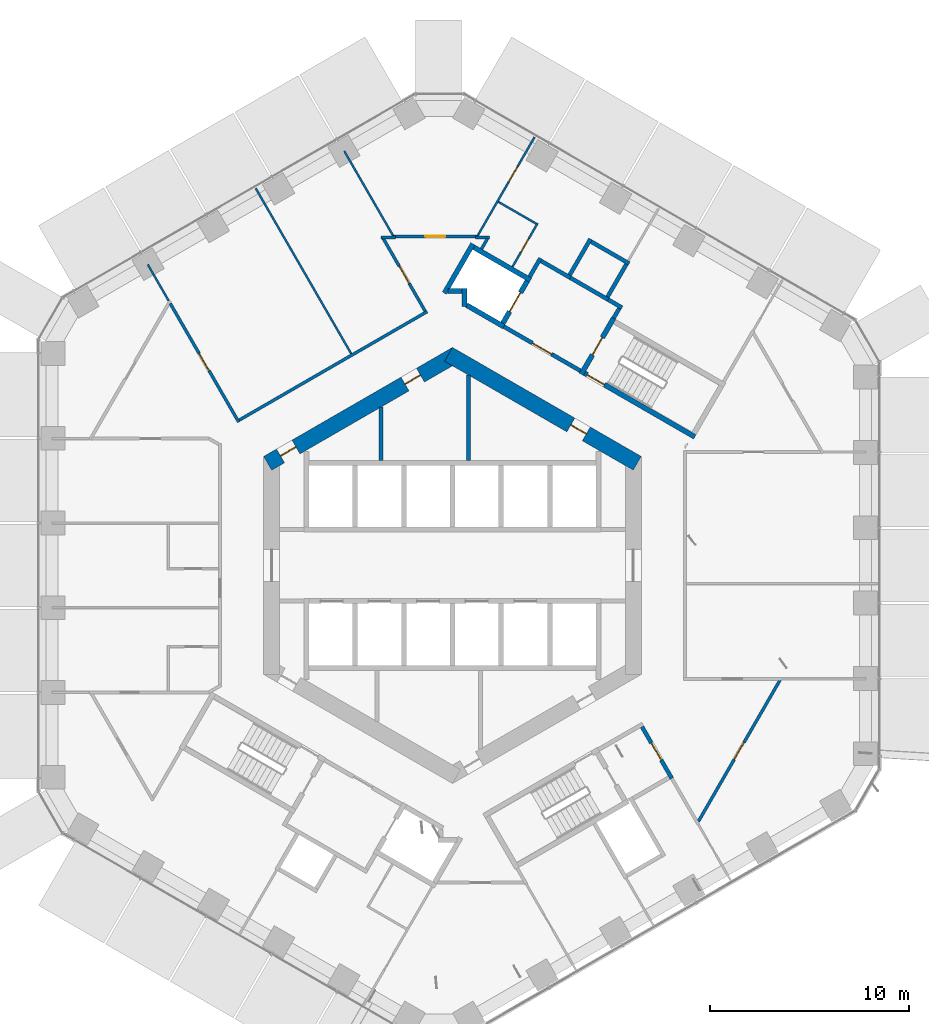
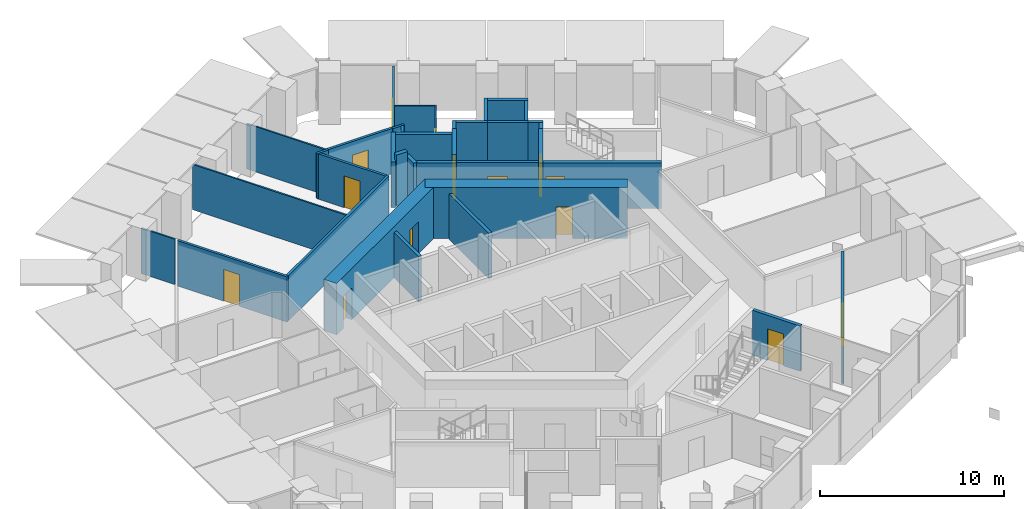
# One storey, part 14 of 22: 36 walls, 14 doors, 14 openings.
"""IFC4 building model written with IfcOpenShell, lengths in metres."""

from ifc_helpers import new_model, si_unit, direction, frame, frame_2d, origin, place, context, subcontext, project, spatial, rectangle, extrude, material, layer, layer_set, type_object, element, fill, save


model = new_model("IFC4")

# Units and contexts
model_context = context("Model", 3, precision=1e-05, world=origin(), true_north=direction((0.0, 1.0)))
body_context = subcontext(model_context, "Body", "Model", "MODEL_VIEW")
ifc_project = project(units=[si_unit("LENGTHUNIT", "METRE"), si_unit("AREAUNIT", "SQUARE_METRE"), si_unit("VOLUMEUNIT", "CUBIC_METRE"), si_unit("PLANEANGLEUNIT", "RADIAN"), si_unit("MASSUNIT", "GRAM", prefix="KILO")], contexts=[model_context])

# Site, building, storey
site_placement = place(None, origin())
site = spatial("IfcSite", under=ifc_project, at=site_placement, CompositionType="ELEMENT")
building_placement = place(site_placement, origin())
building = spatial("IfcBuilding", under=site, at=building_placement, Name="Ayvan Gate Tower", CompositionType="ELEMENT")
storey_placement = place(building_placement, frame((0.0, 0.0, 62.89990234375)))
storey = spatial("IfcBuildingStorey", under=building, at=storey_placement, Name="L16", CompositionType="ELEMENT", Elevation=62.89990234375)

# Wall, opening, door
ifc_material_1 = material(Name="Concrete C70/85", Category="concrete")
ifc_layer_1 = layer(ifc_material_1, 0.800048828125)
ifc_layer_set_1 = layer_set([ifc_layer_1], Name="Concrete C70/85")
wall_type_1 = type_object("IfcWallType", Name="Core wall 800 C70/85", PredefinedType="SHEAR", material=ifc_layer_set_1)
wall_1_placement = place(storey_placement, frame((9.300048828125, 5.138427734375, 0.0), z_axis=(0.0, 0.0, 1.0), x_axis=(-0.866023993627, 0.500002442456, 0.0)))
wall_1 = element("IfcWall", 1, at=wall_1_placement, inside=storey, type_object=wall_type_1, Name="CORE-L16-1", PredefinedType="SHEAR", context=body_context, shape_type="SweptSolid", body=[
    extrude(rectangle(XDim=10.9697265625, YDim=0.800048828125, at=frame_2d((5.48486328125, 0.0))), origin(), (0.0, 0.0, 1.0), 3.400146484375),
])
opening_1_placement = place(wall_1_placement, frame((2.961669921875, 0.0, 0.0)))
opening_1 = element("IfcOpeningElement", 2, at=opening_1_placement, cuts=wall_1, Name="Opening L16-D41", PredefinedType="OPENING", context=body_context, shape_type="SweptSolid", body=[
    extrude(rectangle(XDim=0.89990234375, YDim=2.10009765625, at=frame_2d((0.449951171875, 1.050048828125))), frame((0.0, 0.409912109375, 0.0), z_axis=(0.0, -1.0, 0.0), x_axis=(1.0, 0.0, 0.0)), (0.0, 0.0, 1.0), 0.820068359375),
])
ifc_material_2 = material(Name="Timber door leaf", Category="wood")
door_type_1 = type_object("IfcDoorType", Name="DT-900", OperationType="NOTDEFINED", PredefinedType="DOOR", material=ifc_material_2)
door_1_placement = place(opening_1_placement, origin())
door_1 = element("IfcDoor", 3, at=door_1_placement, inside=storey, type_object=door_type_1, Name="CD-L16-41", OperationType="SINGLE_SWING_LEFT", OverallHeight=2.10009765625, OverallWidth=0.89990234375, PredefinedType="DOOR", context=body_context, shape_type="SweptSolid", body=[
    extrude(rectangle(XDim=0.89990234375, YDim=2.10009765625, at=frame_2d((0.449951171875, 1.050048828125))), frame((0.0, 0.02490234375, 0.0), z_axis=(0.0, -1.0, 0.0), x_axis=(1.0, 0.0, 0.0)), (0.0, 0.0, 1.0), 0.050048828125),
])
fill(opening_1, door_1)

# Wall, openings, doors
wall_2_placement = place(storey_placement, frame((0.199951171875, 10.623291015625, 0.0), z_axis=(0.0, 0.0, 1.0), x_axis=(-0.866023993627, -0.500002442456, 0.0)))
wall_2 = element("IfcWall", 4, at=wall_2_placement, inside=storey, type_object=wall_type_1, Name="CORE-L16-2", PredefinedType="SHEAR", context=body_context, shape_type="SweptSolid", body=[
    extrude(rectangle(XDim=10.9697265625, YDim=0.800048828125, at=frame_2d((5.48486328125, 0.0))), origin(), (0.0, 0.0, 1.0), 3.400146484375),
])
opening_2_placement = place(wall_2_placement, frame((9.32470703125, 0.0, 0.0)))
opening_2 = element("IfcOpeningElement", 5, at=opening_2_placement, cuts=wall_2, Name="Opening L16-D39", PredefinedType="OPENING", context=body_context, shape_type="SweptSolid", body=[
    extrude(rectangle(XDim=0.89990234375, YDim=2.10009765625, at=frame_2d((0.449951171875, 1.050048828125))), frame((0.0, 0.409912109375, 0.0), z_axis=(0.0, -1.0, 0.0), x_axis=(1.0, 0.0, 0.0)), (0.0, 0.0, 1.0), 0.820068359375),
])
opening_3_placement = place(wall_2_placement, frame((2.0908203125, 0.0, 0.0)))
opening_3 = element("IfcOpeningElement", 6, at=opening_3_placement, cuts=wall_2, Name="Opening L16-D40", PredefinedType="OPENING", context=body_context, shape_type="SweptSolid", body=[
    extrude(rectangle(XDim=0.89990234375, YDim=2.10009765625, at=frame_2d((0.449951171875, 1.050048828125))), frame((0.0, 0.409912109375, 0.0), z_axis=(0.0, -1.0, 0.0), x_axis=(1.0, 0.0, 0.0)), (0.0, 0.0, 1.0), 0.820068359375),
])
door_2_placement = place(opening_2_placement, origin())
door_2 = element("IfcDoor", 7, at=door_2_placement, inside=storey, type_object=door_type_1, Name="CD-L16-39", OperationType="SINGLE_SWING_LEFT", OverallHeight=2.10009765625, OverallWidth=0.89990234375, PredefinedType="DOOR", context=body_context, shape_type="SweptSolid", body=[
    extrude(rectangle(XDim=0.89990234375, YDim=2.10009765625, at=frame_2d((0.449951171875, 1.050048828125))), frame((0.0, 0.02490234375, 0.0), z_axis=(0.0, -1.0, 0.0), x_axis=(1.0, 0.0, 0.0)), (0.0, 0.0, 1.0), 0.050048828125),
])
fill(opening_2, door_2)
door_3_placement = place(opening_3_placement, origin())
door_3 = element("IfcDoor", 8, at=door_3_placement, inside=storey, type_object=door_type_1, Name="CD-L16-40", OperationType="SINGLE_SWING_RIGHT", OverallHeight=2.10009765625, OverallWidth=0.89990234375, PredefinedType="DOOR", context=body_context, shape_type="SweptSolid", body=[
    extrude(rectangle(XDim=0.89990234375, YDim=2.10009765625, at=frame_2d((0.449951171875, 1.050048828125))), frame((0.0, 0.02490234375, 0.0), z_axis=(0.0, -1.0, 0.0), x_axis=(1.0, 0.0, 0.0)), (0.0, 0.0, 1.0), 0.050048828125),
])
fill(opening_3, door_3)

# Wall, opening, door
ifc_material_3 = material(Name="Plasterboard on steel stud", Category="steel")
ifc_layer_2 = layer(ifc_material_3, 0.14990234375)
ifc_layer_set_2 = layer_set([ifc_layer_2], Name="Plasterboard on steel stud")
wall_type_2 = type_object("IfcWallType", Name="WT-CORR-150", PredefinedType="PARTITIONING", material=ifc_layer_set_2)
wall_3_placement = place(storey_placement, frame((-14.204345703125, 13.185546875, 0.0), z_axis=(0.0, 0.0, 1.0), x_axis=(0.500022773673, -0.866012254999, 0.0)))
wall_3 = element("IfcWall", 9, at=wall_3_placement, inside=storey, type_object=wall_type_2, Name="IW-L16-010", PredefinedType="PARTITIONING", context=body_context, shape_type="SweptSolid", body=[
    extrude(rectangle(XDim=6.896240234375, YDim=0.14990234375, at=frame_2d((3.4482421875, 0.0))), origin(), (0.0, 0.0, 1.0), 3.0),
])
opening_4_placement = place(wall_3_placement, frame((2.91064453125, 0.0, 0.0)))
opening_4 = element("IfcOpeningElement", 10, at=opening_4_placement, cuts=wall_3, Name="Opening L16-D38", PredefinedType="OPENING", context=body_context, shape_type="SweptSolid", body=[
    extrude(rectangle(XDim=1.0, YDim=2.10009765625, at=frame_2d((0.5, 1.050048828125))), frame((0.0, 0.0849609375, 0.0), z_axis=(0.0, -1.0, 0.0), x_axis=(1.0, 0.0, 0.0)), (0.0, 0.0, 1.0), 0.169921875),
])
door_type_2 = type_object("IfcDoorType", Name="DT-1000", OperationType="NOTDEFINED", PredefinedType="DOOR", material=ifc_material_2)
door_4_placement = place(opening_4_placement, origin())
door_4 = element("IfcDoor", 11, at=door_4_placement, inside=storey, type_object=door_type_2, Name="ID-L16-038", OperationType="SINGLE_SWING_RIGHT", OverallHeight=2.10009765625, OverallWidth=1.0, PredefinedType="DOOR", context=body_context, shape_type="SweptSolid", body=[
    extrude(rectangle(XDim=1.0, YDim=2.10009765625, at=frame_2d((0.5, 1.050048828125))), frame((0.0, 0.02490234375, 0.0), z_axis=(0.0, -1.0, 0.0), x_axis=(1.0, 0.0, 0.0)), (0.0, 0.0, 1.0), 0.050048828125),
])
fill(opening_4, door_4)

# Walls
wall_4_placement = place(storey_placement, frame((-10.728759765625, 7.31591796875, 0.0), z_axis=(0.0, 0.0, 1.0), x_axis=(0.86603401421, 0.499985086009, 0.0)))
element("IfcWall", 12, at=wall_4_placement, inside=storey, type_object=wall_type_2, Name="IW-L16-020", PredefinedType="PARTITIONING", context=body_context, shape_type="SweptSolid", body=[
    extrude(rectangle(XDim=10.916748046875, YDim=0.14990234375, at=frame_2d((5.45849609375, 0.0))), origin(), (0.0, 0.0, 1.0), 3.0),
])
wall_5_placement = place(storey_placement, frame((-3.593505859375, 16.510986328125, 0.0), z_axis=(0.0, 0.0, 1.0), x_axis=(1.0, 0.0, 0.0)))
element("IfcWall", 13, at=wall_5_placement, inside=storey, type_object=wall_type_2, Name="IW-L16-046", PredefinedType="PARTITIONING", context=body_context, shape_type="SweptSolid", body=[
    extrude(rectangle(XDim=0.717529296875, YDim=0.14990234375, at=frame_2d((0.35888671875, 0.0))), origin(), (0.0, 0.0, 1.0), 3.0),
])

# Wall, opening, door
wall_6_placement = place(storey_placement, frame((-3.043701171875, 16.55908203125, 0.0), z_axis=(0.0, 0.0, 1.0), x_axis=(1.0, 0.0, 0.0)))
wall_6 = element("IfcWall", 14, at=wall_6_placement, inside=storey, type_object=wall_type_2, Name="IW-L16-048", PredefinedType="PARTITIONING", context=body_context, shape_type="SweptSolid", body=[
    extrude(rectangle(XDim=4.365234375, YDim=0.14990234375, at=frame_2d((2.1826171875, 0.0))), origin(), (0.0, 0.0, 1.0), 3.0),
])
opening_5_placement = place(wall_6_placement, frame((1.6826171875, 0.0, 0.0)))
opening_5 = element("IfcOpeningElement", 15, at=opening_5_placement, cuts=wall_6, Name="Opening L16-D21", PredefinedType="OPENING", context=body_context, shape_type="SweptSolid", body=[
    extrude(rectangle(XDim=1.0, YDim=2.10009765625, at=frame_2d((0.5, 1.050048828125))), frame((0.0, 0.0849609375, 0.0), z_axis=(0.0, -1.0, 0.0), x_axis=(1.0, 0.0, 0.0)), (0.0, 0.0, 1.0), 0.169921875),
])
door_5_placement = place(opening_5_placement, origin())
door_5 = element("IfcDoor", 16, at=door_5_placement, inside=storey, type_object=door_type_2, Name="ID-L16-021", OperationType="SINGLE_SWING_LEFT", OverallHeight=2.10009765625, OverallWidth=1.0, PredefinedType="DOOR", context=body_context, shape_type="SweptSolid", body=[
    extrude(rectangle(XDim=1.0, YDim=2.10009765625, at=frame_2d((0.5, 1.050048828125))), frame((0.0, 0.02490234375, 0.0), z_axis=(0.0, -1.0, 0.0), x_axis=(1.0, 0.0, 0.0)), (0.0, 0.0, 1.0), 0.050048828125),
])
fill(opening_5, door_5)

wall_7_placement = place(storey_placement, frame((-1.376708984375, 12.8017578125, 0.0), z_axis=(0.0, 0.0, 1.0), x_axis=(-0.500038835258, 0.866002981077, 0.0)))
wall_7 = element("IfcWall", 17, at=wall_7_placement, inside=storey, type_object=wall_type_2, Name="IW-L16-056", PredefinedType="PARTITIONING", context=body_context, shape_type="SweptSolid", body=[
    extrude(rectangle(XDim=4.208251953125, YDim=0.14990234375, at=frame_2d((2.10400390625, 0.0))), origin(), (0.0, 0.0, 1.0), 3.0),
])
opening_6_placement = place(wall_7_placement, frame((1.60400390625, 0.0, 0.0)))
opening_6 = element("IfcOpeningElement", 18, at=opening_6_placement, cuts=wall_7, Name="Opening L16-D37", PredefinedType="OPENING", context=body_context, shape_type="SweptSolid", body=[
    extrude(rectangle(XDim=1.0, YDim=2.10009765625, at=frame_2d((0.5, 1.050048828125))), frame((0.0, 0.0849609375, 0.0), z_axis=(0.0, -1.0, 0.0), x_axis=(1.0, 0.0, 0.0)), (0.0, 0.0, 1.0), 0.169921875),
])
door_6_placement = place(opening_6_placement, origin())
door_6 = element("IfcDoor", 19, at=door_6_placement, inside=storey, type_object=door_type_2, Name="ID-L16-037", OperationType="SINGLE_SWING_LEFT", OverallHeight=2.10009765625, OverallWidth=1.0, PredefinedType="DOOR", context=body_context, shape_type="SweptSolid", body=[
    extrude(rectangle(XDim=1.0, YDim=2.10009765625, at=frame_2d((0.5, 1.050048828125))), frame((0.0, 0.02490234375, 0.0), z_axis=(0.0, -1.0, 0.0), x_axis=(1.0, 0.0, 0.0)), (0.0, 0.0, 1.0), 0.050048828125),
])
fill(opening_6, door_6)

# Walls
wall_8_placement = place(storey_placement, frame((1.15380859375, 16.510986328125, 0.0), z_axis=(0.0, 0.0, 1.0), x_axis=(1.0, 0.0, 0.0)))
element("IfcWall", 20, at=wall_8_placement, inside=storey, type_object=wall_type_2, Name="IW-L16-067", PredefinedType="PARTITIONING", context=body_context, shape_type="SweptSolid", body=[
    extrude(rectangle(XDim=0.71728515625, YDim=0.14990234375, at=frame_2d((0.358642578125, 0.0))), origin(), (0.0, 0.0, 1.0), 3.0),
])
wall_9_placement = place(storey_placement, frame((1.758544921875, 16.446044921875, 0.0), z_axis=(0.0, 0.0, 1.0), x_axis=(-0.499746055734, -0.86617196894, 0.0)))
element("IfcWall", 21, at=wall_9_placement, inside=storey, type_object=wall_type_2, Name="IW-L16-071", PredefinedType="PARTITIONING", context=body_context, shape_type="SweptSolid", body=[
    extrude(rectangle(XDim=0.596923828125, YDim=0.14990234375, at=frame_2d((0.29833984375, 0.0))), origin(), (0.0, 0.0, 1.0), 3.0),
])

# Wall, opening, door
wall_10_placement = place(storey_placement, frame((16.480224609375, -5.7734375, 0.0), z_axis=(0.0, 0.0, 1.0), x_axis=(-0.500000045627, -0.866025377442, 0.0)))
wall_10 = element("IfcWall", 22, at=wall_10_placement, inside=storey, type_object=wall_type_2, Name="IW-L16-121", PredefinedType="PARTITIONING", context=body_context, shape_type="SweptSolid", body=[
    extrude(rectangle(XDim=8.22216796875, YDim=0.14990234375, at=frame_2d((4.111083984375, 0.0))), origin(), (0.0, 0.0, 1.0), 3.0),
])
opening_7_placement = place(wall_10_placement, frame((3.611083984375, 0.0, 0.0)))
opening_7 = element("IfcOpeningElement", 23, at=opening_7_placement, cuts=wall_10, Name="Opening L16-D35", PredefinedType="OPENING", context=body_context, shape_type="SweptSolid", body=[
    extrude(rectangle(XDim=1.0, YDim=2.10009765625, at=frame_2d((0.5, 1.050048828125))), frame((0.0, 0.0849609375, 0.0), z_axis=(0.0, -1.0, 0.0), x_axis=(1.0, 0.0, 0.0)), (0.0, 0.0, 1.0), 0.169921875),
])
door_7_placement = place(opening_7_placement, origin())
door_7 = element("IfcDoor", 24, at=door_7_placement, inside=storey, type_object=door_type_2, Name="ID-L16-035", OperationType="SINGLE_SWING_LEFT", OverallHeight=2.10009765625, OverallWidth=1.0, PredefinedType="DOOR", context=body_context, shape_type="SweptSolid", body=[
    extrude(rectangle(XDim=1.0, YDim=2.10009765625, at=frame_2d((0.5, 1.050048828125))), frame((0.0, 0.02490234375, 0.0), z_axis=(0.0, -1.0, 0.0), x_axis=(1.0, 0.0, 0.0)), (0.0, 0.0, 1.0), 0.050048828125),
])
fill(opening_7, door_7)

# Walls
ifc_layer_3 = layer(ifc_material_3, 0.10009765625)
ifc_layer_set_3 = layer_set([ifc_layer_3], Name="Plasterboard on steel stud")
wall_type_3 = type_object("IfcWallType", Name="WT-PART-100", PredefinedType="PARTITIONING", material=ifc_layer_set_3)
wall_11_placement = place(storey_placement, frame((-15.3359375, 15.145751953125, 0.0), z_axis=(0.0, 0.0, 1.0), x_axis=(0.499965779899, -0.866045159867, 0.0)))
element("IfcWall", 25, at=wall_11_placement, inside=storey, type_object=wall_type_3, Name="IW-L16-004", PredefinedType="PARTITIONING", context=body_context, shape_type="SweptSolid", body=[
    extrude(rectangle(XDim=2.113525390625, YDim=0.10009765625, at=frame_2d((1.056640625, 0.0))), origin(), (0.0, 0.0, 1.0), 3.0),
])
wall_12_placement = place(storey_placement, frame((-5.096435546875, 10.654052734375, 0.0), z_axis=(0.0, 0.0, 1.0), x_axis=(-0.500006994331, 0.866021365568, 0.0)))
element("IfcWall", 26, at=wall_12_placement, inside=storey, type_object=wall_type_3, Name="IW-L16-036", PredefinedType="PARTITIONING", context=body_context, shape_type="SweptSolid", body=[
    extrude(rectangle(XDim=9.605712890625, YDim=0.10009765625, at=frame_2d((4.802734375, 0.0))), origin(), (0.0, 0.0, 1.0), 3.0),
])
wall_13_placement = place(storey_placement, frame((-3.00634765625, 16.623779296875, 0.0), z_axis=(0.0, 0.0, 1.0), x_axis=(-0.499950314103, 0.86605408805, 0.0)))
element("IfcWall", 27, at=wall_13_placement, inside=storey, type_object=wall_type_3, Name="IW-L16-047", PredefinedType="PARTITIONING", context=body_context, shape_type="SweptSolid", body=[
    extrude(rectangle(XDim=4.884765625, YDim=0.10009765625, at=frame_2d((2.4423828125, 0.0))), origin(), (0.0, 0.0, 1.0), 3.0),
])

# Wall, opening, door
wall_14_placement = place(storey_placement, frame((3.01904296875, 15.029052734375, 0.0), z_axis=(0.0, 0.0, 1.0), x_axis=(0.499976333282, 0.866039067339, 0.0)))
wall_14 = element("IfcWall", 28, at=wall_14_placement, inside=storey, type_object=wall_type_3, Name="IW-L16-076", PredefinedType="PARTITIONING", context=body_context, shape_type="SweptSolid", body=[
    extrude(rectangle(XDim=2.52490234375, YDim=0.10009765625, at=frame_2d((1.262451171875, 0.0))), origin(), (0.0, 0.0, 1.0), 3.0),
])
opening_8_placement = place(wall_14_placement, frame((0.83740234375, 0.0, 0.0)))
opening_8 = element("IfcOpeningElement", 29, at=opening_8_placement, cuts=wall_14, Name="Opening L16-D23", PredefinedType="OPENING", context=body_context, shape_type="SweptSolid", body=[
    extrude(rectangle(XDim=0.800048828125, YDim=2.10009765625, at=frame_2d((0.39990234375, 1.050048828125))), frame((0.0, 0.06005859375, 0.0), z_axis=(0.0, -1.0, 0.0), x_axis=(1.0, 0.0, 0.0)), (0.0, 0.0, 1.0), 0.1201171875),
])
door_type_3 = type_object("IfcDoorType", Name="DT-800", OperationType="NOTDEFINED", PredefinedType="DOOR", material=ifc_material_2)
door_8_placement = place(opening_8_placement, origin())
door_8 = element("IfcDoor", 30, at=door_8_placement, inside=storey, type_object=door_type_3, Name="ID-L16-023", OperationType="SINGLE_SWING_LEFT", OverallHeight=2.10009765625, OverallWidth=0.800048828125, PredefinedType="DOOR", context=body_context, shape_type="SweptSolid", body=[
    extrude(rectangle(XDim=0.800048828125, YDim=2.10009765625, at=frame_2d((0.39990234375, 1.050048828125))), frame((0.0, 0.02490234375, 0.0), z_axis=(0.0, -1.0, 0.0), x_axis=(1.0, 0.0, 0.0)), (0.0, 0.0, 1.0), 0.050048828125),
])
fill(opening_8, door_8)

wall_15_placement = place(storey_placement, frame((4.12841796875, 21.55078125, 0.0), z_axis=(0.0, 0.0, 1.0), x_axis=(-0.499983721286, -0.8660348021, 0.0)))
wall_15 = element("IfcWall", 31, at=wall_15_placement, inside=storey, type_object=wall_type_3, Name="IW-L16-082", PredefinedType="PARTITIONING", context=body_context, shape_type="SweptSolid", body=[
    extrude(rectangle(XDim=5.689208984375, YDim=0.10009765625, at=frame_2d((2.8447265625, 0.0))), origin(), (0.0, 0.0, 1.0), 3.0),
])
opening_9_placement = place(wall_15_placement, frame((1.697021484375, 0.0, 0.0)))
opening_9 = element("IfcOpeningElement", 32, at=opening_9_placement, cuts=wall_15, Name="Opening L16-D22", PredefinedType="OPENING", context=body_context, shape_type="SweptSolid", body=[
    extrude(rectangle(XDim=0.89990234375, YDim=2.10009765625, at=frame_2d((0.449951171875, 1.050048828125))), frame((0.0, 0.06005859375, 0.0), z_axis=(0.0, -1.0, 0.0), x_axis=(1.0, 0.0, 0.0)), (0.0, 0.0, 1.0), 0.1201171875),
])
door_9_placement = place(opening_9_placement, origin())
door_9 = element("IfcDoor", 33, at=door_9_placement, inside=storey, type_object=door_type_1, Name="ID-L16-022", OperationType="SINGLE_SWING_RIGHT", OverallHeight=2.10009765625, OverallWidth=0.89990234375, PredefinedType="DOOR", context=body_context, shape_type="SweptSolid", body=[
    extrude(rectangle(XDim=0.89990234375, YDim=2.10009765625, at=frame_2d((0.449951171875, 1.050048828125))), frame((0.0, 0.02490234375, 0.0), z_axis=(0.0, -1.0, 0.0), x_axis=(1.0, 0.0, 0.0)), (0.0, 0.0, 1.0), 0.050048828125),
])
fill(opening_9, door_9)

# Walls
wall_16_placement = place(storey_placement, frame((4.213134765625, 17.197509765625, 0.0), z_axis=(0.0, 0.0, 1.0), x_axis=(-0.86605622881, 0.499946605688, 0.0)))
element("IfcWall", 34, at=wall_16_placement, inside=storey, type_object=wall_type_3, Name="IW-L16-083", PredefinedType="PARTITIONING", context=body_context, shape_type="SweptSolid", body=[
    extrude(rectangle(XDim=2.199951171875, YDim=0.10009765625, at=frame_2d((1.10009765625, 0.0))), origin(), (0.0, 0.0, 1.0), 3.0),
])
ifc_layer_4 = layer(ifc_material_3, 0.199951171875)
ifc_layer_set_4 = layer_set([ifc_layer_4], Name="Plasterboard on steel stud")
wall_type_4 = type_object("IfcWallType", Name="WT-PLUMB-200", PredefinedType="PLUMBINGWALL", material=ifc_layer_set_4)
wall_17_placement = place(storey_placement, frame((5.931396484375, 14.473388671875, 0.0), z_axis=(0.0, 0.0, 1.0), x_axis=(0.866008176907, -0.50002983664, 0.0)))
element("IfcWall", 35, at=wall_17_placement, inside=storey, type_object=wall_type_4, Name="IW-L16-087", PredefinedType="PLUMBINGWALL", context=body_context, shape_type="SweptSolid", body=[
    extrude(rectangle(XDim=2.199951171875, YDim=0.199951171875, at=frame_2d((1.10009765625, 0.0))), origin(), (0.0, 0.0, 1.0), 3.0),
])
wall_18_placement = place(storey_placement, frame((5.894775390625, 14.610107421875, 0.0), z_axis=(0.0, 0.0, 1.0), x_axis=(0.49994051562, 0.866059744384, 0.0)))
element("IfcWall", 36, at=wall_18_placement, inside=storey, type_object=wall_type_4, Name="IW-L16-088", PredefinedType="PLUMBINGWALL", context=body_context, shape_type="SweptSolid", body=[
    extrude(rectangle(XDim=2.099853515625, YDim=0.199951171875, at=frame_2d((1.0498046875, 0.0))), origin(), (0.0, 0.0, 1.0), 3.0),
])
wall_19_placement = place(storey_placement, frame((6.981201171875, 16.2919921875, 0.0), z_axis=(0.0, 0.0, 1.0), x_axis=(0.866035918664, -0.499981787252, 0.0)))
element("IfcWall", 37, at=wall_19_placement, inside=storey, type_object=wall_type_4, Name="IW-L16-091", PredefinedType="PLUMBINGWALL", context=body_context, shape_type="SweptSolid", body=[
    extrude(rectangle(XDim=2.2001953125, YDim=0.199951171875, at=frame_2d((1.10009765625, 0.0))), origin(), (0.0, 0.0, 1.0), 3.0),
])
wall_20_placement = place(storey_placement, frame((8.75, 15.155517578125, 0.0), z_axis=(0.0, 0.0, 1.0), x_axis=(-0.499967155389, -0.866044365799, 0.0)))
element("IfcWall", 38, at=wall_20_placement, inside=storey, type_object=wall_type_4, Name="IW-L16-105", PredefinedType="PLUMBINGWALL", context=body_context, shape_type="SweptSolid", body=[
    extrude(rectangle(XDim=1.900146484375, YDim=0.199951171875, at=frame_2d((0.9501953125, 0.0))), origin(), (0.0, 0.0, 1.0), 3.0),
])
ifc_layer_5 = layer(ifc_material_3, 0.199951171875)
ifc_layer_set_5 = layer_set([ifc_layer_5], Name="Plasterboard on steel stud")
wall_type_5 = type_object("IfcWallType", Name="WT-RATED-200", PredefinedType="PARTITIONING", material=ifc_layer_set_5)
wall_21_placement = place(storey_placement, frame((-3.60009765625, 7.96728515625, 0.0), z_axis=(0.0, 0.0, 1.0), x_axis=(0.0, -1.0, 0.0)))
element("IfcWall", 39, at=wall_21_placement, inside=storey, type_object=wall_type_5, Name="IW-L16-045", PredefinedType="PARTITIONING", context=body_context, shape_type="SweptSolid", body=[
    extrude(rectangle(XDim=2.6923828125, YDim=0.199951171875, at=frame_2d((1.34619140625, 0.0))), origin(), (0.0, 0.0, 1.0), 3.0),
])
wall_22_placement = place(storey_placement, frame((0.800048828125, 9.583984375, 0.0), z_axis=(0.0, 0.0, 1.0), x_axis=(0.0, -1.0, 0.0)))
element("IfcWall", 40, at=wall_22_placement, inside=storey, type_object=wall_type_5, Name="IW-L16-065", PredefinedType="PARTITIONING", context=body_context, shape_type="SweptSolid", body=[
    extrude(rectangle(XDim=4.30908203125, YDim=0.199951171875, at=frame_2d((2.154541015625, 0.0))), origin(), (0.0, 0.0, 1.0), 3.0),
])
wall_23_placement = place(storey_placement, frame((3.885009765625, 14.52880859375, 0.0), z_axis=(0.0, 0.0, 1.0), x_axis=(0.499997628298, 0.866026773083, 0.0)))
element("IfcWall", 41, at=wall_23_placement, inside=storey, type_object=wall_type_5, Name="IW-L16-081", PredefinedType="PARTITIONING", context=body_context, shape_type="SweptSolid", body=[
    extrude(rectangle(XDim=1.0751953125, YDim=0.199951171875, at=frame_2d((0.53759765625, 0.0))), origin(), (0.0, 0.0, 1.0), 3.0),
])
wall_24_placement = place(storey_placement, frame((4.458984375, 15.323486328125, 0.0), z_axis=(0.0, 0.0, 1.0), x_axis=(0.866025371046, -0.500000056704, 0.0)))
element("IfcWall", 42, at=wall_24_placement, inside=storey, type_object=wall_type_5, Name="IW-L16-084", PredefinedType="PARTITIONING", context=body_context, shape_type="SweptSolid", body=[
    extrude(rectangle(XDim=1.7001953125, YDim=0.199951171875, at=frame_2d((0.85009765625, 0.0))), origin(), (0.0, 0.0, 1.0), 3.0),
])

# Wall, opening, door
wall_25_placement = place(storey_placement, frame((6.4345703125, 9.794921875, 0.0), z_axis=(0.0, 0.0, 1.0), x_axis=(-0.866012907634, 0.500021643343, 0.0)))
wall_25 = element("IfcWall", 43, at=wall_25_placement, inside=storey, type_object=wall_type_5, Name="IW-L16-089", PredefinedType="PARTITIONING", context=body_context, shape_type="SweptSolid", body=[
    extrude(rectangle(XDim=4.449951171875, YDim=0.199951171875, at=frame_2d((2.22509765625, 0.0))), origin(), (0.0, 0.0, 1.0), 3.0),
])
opening_10_placement = place(wall_25_placement, frame((1.675048828125, 0.0, 0.0)))
opening_10 = element("IfcOpeningElement", 44, at=opening_10_placement, cuts=wall_25, Name="Opening L16-D08", PredefinedType="OPENING", context=body_context, shape_type="SweptSolid", body=[
    extrude(rectangle(XDim=1.10009765625, YDim=2.10009765625, at=frame_2d((0.550048828125, 1.050048828125))), frame((0.0, 0.10986328125, 0.0), z_axis=(0.0, -1.0, 0.0), x_axis=(1.0, 0.0, 0.0)), (0.0, 0.0, 1.0), 0.219970703125),
])
door_type_4 = type_object("IfcDoorType", Name="DT-1100", OperationType="NOTDEFINED", PredefinedType="DOOR", material=ifc_material_2)
door_10_placement = place(opening_10_placement, origin())
door_10 = element("IfcDoor", 45, at=door_10_placement, inside=storey, type_object=door_type_4, Name="ID-L16-008", OperationType="SINGLE_SWING_RIGHT", OverallHeight=2.10009765625, OverallWidth=1.10009765625, PredefinedType="DOOR", context=body_context, shape_type="SweptSolid", body=[
    extrude(rectangle(XDim=1.10009765625, YDim=2.10009765625, at=frame_2d((0.550048828125, 1.050048828125))), frame((0.0, 0.02490234375, 0.0), z_axis=(0.0, -1.0, 0.0), x_axis=(1.0, 0.0, 0.0)), (0.0, 0.0, 1.0), 0.050048828125),
])
fill(opening_10, door_10)

# Walls
wall_26_placement = place(storey_placement, frame((7.83642578125, 13.373291015625, 0.0), z_axis=(0.0, 0.0, 1.0), x_axis=(0.866094119867, -0.499880961361, 0.0)))
element("IfcWall", 46, at=wall_26_placement, inside=storey, type_object=wall_type_5, Name="IW-L16-098", PredefinedType="PARTITIONING", context=body_context, shape_type="SweptSolid", body=[
    extrude(rectangle(XDim=0.800048828125, YDim=0.199951171875, at=frame_2d((0.39990234375, 0.0))), origin(), (0.0, 0.0, 1.0), 3.0),
])
wall_27_placement = place(storey_placement, frame((8.392822265625, 12.936767578125, 0.0), z_axis=(0.0, 0.0, 1.0), x_axis=(-0.500065409566, -0.86598763626, 0.0)))
element("IfcWall", 47, at=wall_27_placement, inside=storey, type_object=wall_type_5, Name="IW-L16-100", PredefinedType="PARTITIONING", context=body_context, shape_type="SweptSolid", body=[
    extrude(rectangle(XDim=0.5751953125, YDim=0.199951171875, at=frame_2d((0.28759765625, 0.0))), origin(), (0.0, 0.0, 1.0), 3.0),
])

# Wall, opening, door
wall_28_placement = place(storey_placement, frame((9.537353515625, -8.119140625, 0.0), z_axis=(0.0, 0.0, 1.0), x_axis=(0.499990139034, -0.866031096941, 0.0)))
wall_28 = element("IfcWall", 48, at=wall_28_placement, inside=storey, type_object=wall_type_5, Name="IW-L16-108", PredefinedType="PARTITIONING", context=body_context, shape_type="SweptSolid", body=[
    extrude(rectangle(XDim=3.0, YDim=0.199951171875, at=frame_2d((1.5, 0.0))), origin(), (0.0, 0.0, 1.0), 3.0),
])
opening_11_placement = place(wall_28_placement, frame((0.93505859375, 0.0, 0.0)))
opening_11 = element("IfcOpeningElement", 49, at=opening_11_placement, cuts=wall_28, Name="Opening L16-D15", PredefinedType="OPENING", context=body_context, shape_type="SweptSolid", body=[
    extrude(rectangle(XDim=1.0, YDim=2.10009765625, at=frame_2d((0.5, 1.050048828125))), frame((0.0, 0.10986328125, 0.0), z_axis=(0.0, -1.0, 0.0), x_axis=(1.0, 0.0, 0.0)), (0.0, 0.0, 1.0), 0.219970703125),
])
door_11_placement = place(opening_11_placement, origin())
door_11 = element("IfcDoor", 50, at=door_11_placement, inside=storey, type_object=door_type_2, Name="ID-L16-015", OperationType="SINGLE_SWING_LEFT", OverallHeight=2.10009765625, OverallWidth=1.0, PredefinedType="DOOR", context=body_context, shape_type="SweptSolid", body=[
    extrude(rectangle(XDim=1.0, YDim=2.10009765625, at=frame_2d((0.5, 1.050048828125))), frame((0.0, 0.02490234375, 0.0), z_axis=(0.0, -1.0, 0.0), x_axis=(1.0, 0.0, 0.0)), (0.0, 0.0, 1.0), 0.050048828125),
])
fill(opening_11, door_11)

# Walls
ifc_material_4 = material(Name="Concrete C50/60", Category="concrete")
ifc_layer_6 = layer(ifc_material_4, 0.25)
ifc_layer_set_6 = layer_set([ifc_layer_6], Name="Concrete C50/60")
wall_type_6 = type_object("IfcWallType", Name="WT-RC-250", PredefinedType="SHEAR", material=ifc_layer_set_6)
wall_29_placement = place(storey_placement, frame((-0.403076171875, 13.70166015625, 0.0), z_axis=(0.0, 0.0, 1.0), x_axis=(0.499976111731, 0.866039195244, 0.0)))
element("IfcWall", 51, at=wall_29_placement, inside=storey, type_object=wall_type_6, Name="IW-L16-060", PredefinedType="SHEAR", context=body_context, shape_type="SweptSolid", body=[
    extrude(rectangle(XDim=2.860595703125, YDim=0.25, at=frame_2d((1.43017578125, 0.0))), origin(), (0.0, 0.0, 1.0), 3.0),
])
wall_30_placement = place(storey_placement, frame((0.60009765625, 13.03857421875, 0.0), z_axis=(0.0, 0.0, 1.0), x_axis=(0.0, 1.0, 0.0)))
element("IfcWall", 52, at=wall_30_placement, inside=storey, type_object=wall_type_6, Name="IW-L16-063", PredefinedType="SHEAR", context=body_context, shape_type="SweptSolid", body=[
    extrude(rectangle(XDim=0.896484375, YDim=0.25, at=frame_2d((0.4482421875, 0.0))), origin(), (0.0, 0.0, 1.0), 3.0),
])
wall_31_placement = place(storey_placement, frame((0.47509765625, 13.81005859375, 0.0), z_axis=(0.0, 0.0, 1.0), x_axis=(-1.0, 0.0, 0.0)))
element("IfcWall", 53, at=wall_31_placement, inside=storey, type_object=wall_type_6, Name="IW-L16-064", PredefinedType="SHEAR", context=body_context, shape_type="SweptSolid", body=[
    extrude(rectangle(XDim=0.690673828125, YDim=0.25, at=frame_2d((0.34521484375, 0.0))), origin(), (0.0, 0.0, 1.0), 3.400146484375),
])
wall_32_placement = place(storey_placement, frame((1.072998046875, 16.00830078125, 0.0), z_axis=(0.0, 0.0, 1.0), x_axis=(0.866040211805, -0.499974350878, 0.0)))
element("IfcWall", 54, at=wall_32_placement, inside=storey, type_object=wall_type_6, Name="IW-L16-066", PredefinedType="SHEAR", context=body_context, shape_type="SweptSolid", body=[
    extrude(rectangle(XDim=3.300048828125, YDim=0.25, at=frame_2d((1.64990234375, 0.0))), origin(), (0.0, 0.0, 1.0), 3.0),
])
wall_33_placement = place(storey_placement, frame((2.580810546875, 12.02001953125, 0.0), z_axis=(0.0, 0.0, 1.0), x_axis=(-0.86603892542, 0.499976579108, 0.0)))
element("IfcWall", 55, at=wall_33_placement, inside=storey, type_object=wall_type_6, Name="IW-L16-074", PredefinedType="SHEAR", context=body_context, shape_type="SweptSolid", body=[
    extrude(rectangle(XDim=2.162109375, YDim=0.25, at=frame_2d((1.0810546875, 0.0))), origin(), (0.0, 0.0, 1.0), 3.0),
])

# Wall, opening, door
wall_34_placement = place(storey_placement, frame((2.534912109375, 12.19091796875, 0.0), z_axis=(0.0, 0.0, 1.0), x_axis=(0.500061746146, 0.865989751695, 0.0)))
wall_34 = element("IfcWall", 56, at=wall_34_placement, inside=storey, type_object=wall_type_6, Name="IW-L16-075", PredefinedType="SHEAR", context=body_context, shape_type="SweptSolid", body=[
    extrude(rectangle(XDim=2.449951171875, YDim=0.25, at=frame_2d((1.22509765625, 0.0))), origin(), (0.0, 0.0, 1.0), 3.400146484375),
])
opening_12_placement = place(wall_34_placement, frame((0.675048828125, 0.0, 0.0)))
opening_12 = element("IfcOpeningElement", 57, at=opening_12_placement, cuts=wall_34, Name="Opening L16-LD-FF1", PredefinedType="OPENING", context=body_context, shape_type="SweptSolid", body=[
    extrude(rectangle(XDim=1.10009765625, YDim=2.10009765625, at=frame_2d((0.550048828125, 1.050048828125))), frame((0.0, 0.135009765625, 0.0), z_axis=(0.0, -1.0, 0.0), x_axis=(1.0, 0.0, 0.0)), (0.0, 0.0, 1.0), 0.27001953125),
])
ifc_material_5 = material(Name="Stainless steel landing door", Category="steel")
door_type_5 = type_object("IfcDoorType", Name="DT-LANDING-1100", OperationType="SLIDING_TO_LEFT", PredefinedType="DOOR", material=ifc_material_5)
door_12_placement = place(opening_12_placement, origin())
door_12 = element("IfcDoor", 58, at=door_12_placement, inside=storey, type_object=door_type_5, Name="ID-L16-009", OperationType="SLIDING_TO_LEFT", OverallHeight=2.10009765625, OverallWidth=1.10009765625, PredefinedType="DOOR", context=body_context, shape_type="SweptSolid", body=[
    extrude(rectangle(XDim=1.10009765625, YDim=2.10009765625, at=frame_2d((0.550048828125, 1.050048828125))), frame((0.0, 0.02490234375, 0.0), z_axis=(0.0, -1.0, 0.0), x_axis=(1.0, 0.0, 0.0)), (0.0, 0.0, 1.0), 0.050048828125),
])
fill(opening_12, door_12)

wall_35_placement = place(storey_placement, frame((6.480224609375, 9.624267578125, 0.0), z_axis=(0.0, 0.0, 1.0), x_axis=(0.500017246033, 0.866015446554, 0.0)))
wall_35 = element("IfcWall", 59, at=wall_35_placement, inside=storey, type_object=wall_type_6, Name="IW-L16-090", PredefinedType="SHEAR", context=body_context, shape_type="SweptSolid", body=[
    extrude(rectangle(XDim=3.25, YDim=0.25, at=frame_2d((1.625, 0.0))), origin(), (0.0, 0.0, 1.0), 3.0),
])
opening_13_placement = place(wall_35_placement, frame((1.125, 0.0, 0.0)))
opening_13 = element("IfcOpeningElement", 60, at=opening_13_placement, cuts=wall_35, Name="Opening L16-D07", PredefinedType="OPENING", context=body_context, shape_type="SweptSolid", body=[
    extrude(rectangle(XDim=1.0, YDim=2.10009765625, at=frame_2d((0.5, 1.050048828125))), frame((0.0, 0.135009765625, 0.0), z_axis=(0.0, -1.0, 0.0), x_axis=(1.0, 0.0, 0.0)), (0.0, 0.0, 1.0), 0.27001953125),
])
door_13_placement = place(opening_13_placement, origin())
door_13 = element("IfcDoor", 61, at=door_13_placement, inside=storey, type_object=door_type_2, Name="ID-L16-007", OperationType="SINGLE_SWING_LEFT", OverallHeight=2.10009765625, OverallWidth=1.0, PredefinedType="DOOR", context=body_context, shape_type="SweptSolid", body=[
    extrude(rectangle(XDim=1.0, YDim=2.10009765625, at=frame_2d((0.5, 1.050048828125))), frame((0.0, 0.02490234375, 0.0), z_axis=(0.0, -1.0, 0.0), x_axis=(1.0, 0.0, 0.0)), (0.0, 0.0, 1.0), 0.050048828125),
])
fill(opening_13, door_13)

wall_36_placement = place(storey_placement, frame((12.193603515625, 6.469970703125, 0.0), z_axis=(0.0, 0.0, 1.0), x_axis=(-0.866025499775, 0.499999833739, 0.0)))
wall_36 = element("IfcWall", 62, at=wall_36_placement, inside=storey, type_object=wall_type_6, Name="IW-L16-114", PredefinedType="SHEAR", context=body_context, shape_type="SweptSolid", body=[
    extrude(rectangle(XDim=6.39990234375, YDim=0.25, at=frame_2d((3.199951171875, 0.0))), origin(), (0.0, 0.0, 1.0), 3.0),
])
opening_14_placement = place(wall_36_placement, frame((5.25, 0.0, 0.0)))
opening_14 = element("IfcOpeningElement", 63, at=opening_14_placement, cuts=wall_36, Name="Opening L16-D06", PredefinedType="OPENING", context=body_context, shape_type="SweptSolid", body=[
    extrude(rectangle(XDim=1.0, YDim=2.10009765625, at=frame_2d((0.5, 1.050048828125))), frame((0.0, 0.135009765625, 0.0), z_axis=(0.0, -1.0, 0.0), x_axis=(1.0, 0.0, 0.0)), (0.0, 0.0, 1.0), 0.27001953125),
])
door_14_placement = place(opening_14_placement, origin())
door_14 = element("IfcDoor", 64, at=door_14_placement, inside=storey, type_object=door_type_2, Name="ID-L16-006", OperationType="SINGLE_SWING_RIGHT", OverallHeight=2.10009765625, OverallWidth=1.0, PredefinedType="DOOR", context=body_context, shape_type="SweptSolid", body=[
    extrude(rectangle(XDim=1.0, YDim=2.10009765625, at=frame_2d((0.5, 1.050048828125))), frame((0.0, 0.02490234375, 0.0), z_axis=(0.0, -1.0, 0.0), x_axis=(1.0, 0.0, 0.0)), (0.0, 0.0, 1.0), 0.050048828125),
])
fill(opening_14, door_14)

save(model, "model.ifc")
